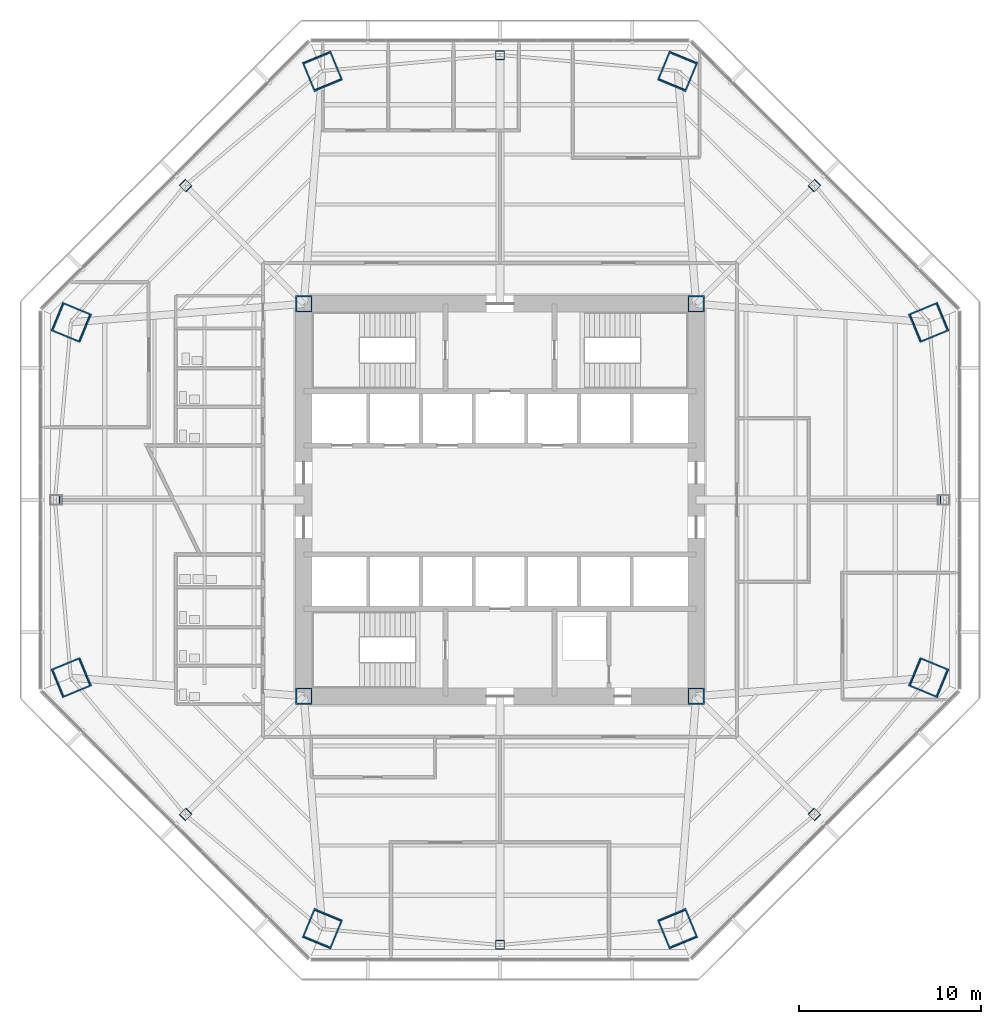
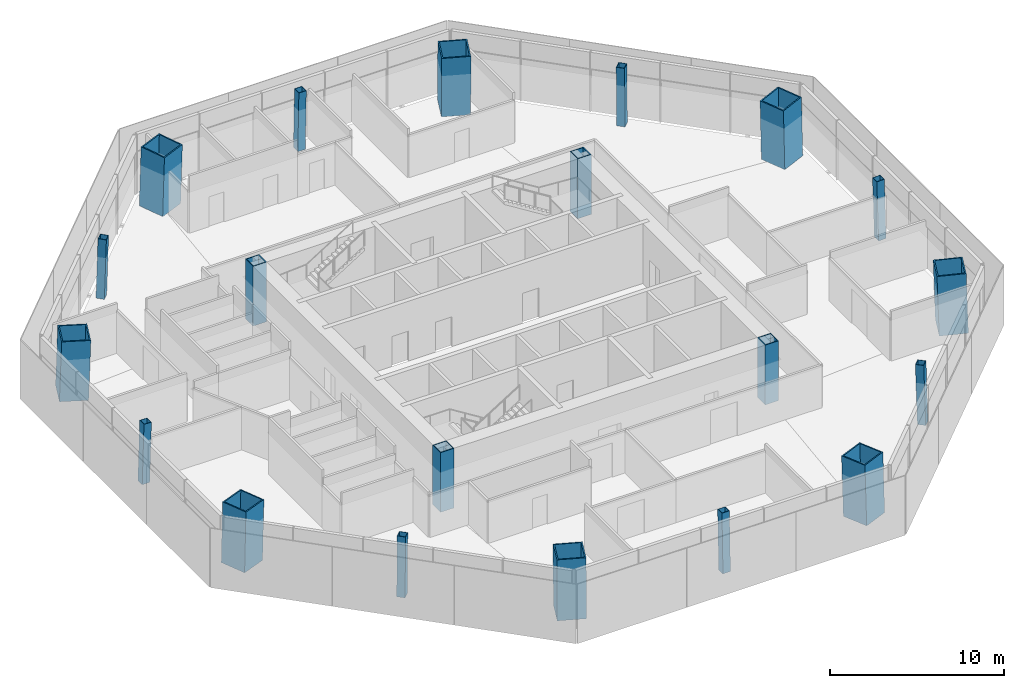
# One storey, part 1 of 16: 20 columns.
"""IFC4 building model written with IfcOpenShell, lengths in metres."""

from ifc_helpers import new_model, si_unit, direction, frame, origin, origin_2d, place, context, subcontext, project, spatial, hollow_rectangle, extrude, material, material_profile, profile_set, type_object, element, save


model = new_model("IFC4")

# Units and contexts
model_context = context("Model", 3, precision=1e-05, world=origin(), true_north=direction((0.0, 1.0)))
body_context = subcontext(model_context, "Body", "Model", "MODEL_VIEW")
ifc_project = project(units=[si_unit("LENGTHUNIT", "METRE"), si_unit("AREAUNIT", "SQUARE_METRE"), si_unit("VOLUMEUNIT", "CUBIC_METRE"), si_unit("PLANEANGLEUNIT", "RADIAN"), si_unit("MASSUNIT", "GRAM", prefix="KILO")], contexts=[model_context])

# Site, building, storey
site_placement = place(None, origin())
site = spatial("IfcSite", under=ifc_project, at=site_placement, CompositionType="ELEMENT")
building_placement = place(site_placement, origin())
building = spatial("IfcBuilding", under=site, at=building_placement, Name="Mashrafa Tower", CompositionType="ELEMENT")
storey_placement = place(building_placement, frame((0.0, 0.0, 96.0)))
storey = spatial("IfcBuildingStorey", under=building, at=storey_placement, Name="L21", CompositionType="ELEMENT", Elevation=96.0)

# Columns
ifc_material_1 = material(Name="Steel ASTM A572 Gr 50", Category="steel")
ifc_material_profile_1 = material_profile(ifc_material_1, hollow_rectangle(XDim=0.89990234375, YDim=0.89990234375, WallThickness=0.06005859375, at=origin_2d()), Name="BOX900X900X60")
ifc_profile_set_1 = profile_set([ifc_material_profile_1], Name="Steel ASTM A572 Gr 50")
column_type_1 = type_object("IfcColumnType", Name="Core corner column BOX900X900X60", PredefinedType="COLUMN", material=ifc_profile_set_1)
for number, where, z_axis, x_axis, name in (
    (1, (10.800048828125, 10.800048828125, 0.0), (0.0, 0.0, 1.0), (1.0, 0.0, 0.0), "Core corner column CC-NE L21"),
    (2, (-10.800048828125, 10.800048828125, 0.0), (0.0, 0.0, 1.0), (1.0, 0.0, 0.0), "Core corner column CC-NW L21"),
    (3, (-10.800048828125, -10.800048828125, 0.0), (0.0, 0.0, 1.0), (1.0, 0.0, 0.0), "Core corner column CC-SW L21"),
    (4, (10.800048828125, -10.800048828125, 0.0), (0.0, 0.0, 1.0), (1.0, 0.0, 0.0), "Core corner column CC-SE L21"),
):
    element("IfcColumn", number, at=place(storey_placement, frame(where, z_axis=z_axis, x_axis=x_axis)), inside=storey, type_object=column_type_1, Name=name, PredefinedType="COLUMN", context=body_context, shape_type="SweptSolid", body=[
        extrude(hollow_rectangle(XDim=0.89990234375, YDim=0.89990234375, WallThickness=0.06005859375, at=origin_2d()), origin(), (0.0, 0.0, 1.0), 4.199951171875),
    ])
ifc_material_2 = material(Name="Steel ASTM A572 Gr 50", Category="steel")
ifc_material_profile_2 = material_profile(ifc_material_2, hollow_rectangle(XDim=1.699951171875, YDim=1.699951171875, WallThickness=0.080078125, at=origin_2d()), Name="BOX1700X1700X80")
ifc_profile_set_2 = profile_set([ifc_material_profile_2], Name="Steel ASTM A572 Gr 50")
column_type_2 = type_object("IfcColumnType", Name="Mega column CFST BOX1700X1700X80", PredefinedType="COLUMN", material=ifc_profile_set_2)
for number, where, z_axis, x_axis, name in (
    (5, (23.620849609375, 9.783935546875, 0.0), (-0.028295749455, -0.011678533143, 0.999531371407), (0.38151339852, -0.924363308851, 0.0), "Mega column MC1 L21"),
    (6, (9.783935546875, 23.620849609375, 0.0), (-0.011678533143, -0.028295749455, 0.999531371407), (0.924363308851, -0.38151339852, 0.0), "Mega column MC2 L21"),
    (7, (-9.783935546875, 23.620849609375, 0.0), (0.011678533143, -0.028295749455, 0.999531371407), (0.924363308851, 0.38151339852, 0.0), "Mega column MC3 L21"),
    (8, (-23.620849609375, 9.783935546875, 0.0), (0.028295749455, -0.011678533143, 0.999531371407), (0.38151339852, 0.924363308851, 0.0), "Mega column MC4 L21"),
    (9, (-23.620849609375, -9.783935546875, 0.0), (0.028295749455, 0.011678533143, 0.999531371407), (-0.38151339852, 0.924363308851, 0.0), "Mega column MC5 L21"),
    (10, (-9.783935546875, -23.620849609375, 0.0), (0.011678533143, 0.028295749455, 0.999531371407), (-0.924363308851, 0.38151339852, 0.0), "Mega column MC6 L21"),
    (11, (9.783935546875, -23.620849609375, 0.0), (-0.011678533143, 0.028295749455, 0.999531371407), (-0.924363308851, -0.38151339852, 0.0), "Mega column MC7 L21"),
    (12, (23.620849609375, -9.783935546875, 0.0), (-0.028295749455, 0.011678533143, 0.999531371407), (-0.38151339852, -0.924363308851, 0.0), "Mega column MC8 L21"),
):
    element("IfcColumn", number, at=place(storey_placement, frame(where, z_axis=z_axis, x_axis=x_axis)), inside=storey, type_object=column_type_2, Name=name, PredefinedType="COLUMN", context=body_context, shape_type="SweptSolid", body=[
        extrude(hollow_rectangle(XDim=1.699951171875, YDim=1.699951171875, WallThickness=0.080078125, at=origin_2d()), origin(), (0.0, 0.0, 1.0), 4.201904296875),
    ])
ifc_material_3 = material(Name="Steel ASTM A572 Gr 50", Category="steel")
ifc_material_profile_3 = material_profile(ifc_material_3, hollow_rectangle(XDim=0.5, YDim=0.5, WallThickness=0.02490234375, at=origin_2d()), Name="BOX500X500X25")
ifc_profile_set_3 = profile_set([ifc_material_profile_3], Name="Steel ASTM A572 Gr 50")
column_type_3 = type_object("IfcColumnType", Name="Secondary column BOX500X500X25", PredefinedType="COLUMN", material=ifc_profile_set_3)
for number, where, z_axis, x_axis, name in (
    (13, (24.4990234375, 0.0, 0.0), (-0.028297679255, 0.0, 0.99959954049), (0.0, -1.0, 0.0), "Secondary column SC1 L21"),
    (14, (17.323486328125, 17.323486328125, 0.0), (-0.019988521213, -0.019988521213, 0.999600379171), (0.707106781187, -0.707106781187, 0.0), "Secondary column SC2 L21"),
    (15, (0.0, 24.4990234375, 0.0), (0.0, -0.028297679255, 0.99959954049), (1.0, 0.0, 0.0), "Secondary column SC3 L21"),
    (16, (-17.323486328125, 17.323486328125, 0.0), (0.019988521213, -0.019988521213, 0.999600379171), (0.707106781187, 0.707106781187, 0.0), "Secondary column SC4 L21"),
    (17, (-24.4990234375, 0.0, 0.0), (0.028297679255, 0.0, 0.99959954049), (0.0, 1.0, 0.0), "Secondary column SC5 L21"),
    (18, (-17.323486328125, -17.323486328125, 0.0), (0.019988521213, 0.019988521213, 0.999600379171), (-0.707106781187, 0.707106781187, 0.0), "Secondary column SC6 L21"),
    (19, (0.0, -24.4990234375, 0.0), (0.0, 0.028297679255, 0.99959954049), (-1.0, 0.0, 0.0), "Secondary column SC7 L21"),
    (20, (17.323486328125, -17.323486328125, 0.0), (-0.019988521213, 0.019988521213, 0.999600379171), (-0.707106781187, -0.707106781187, 0.0), "Secondary column SC8 L21"),
):
    element("IfcColumn", number, at=place(storey_placement, frame(where, z_axis=z_axis, x_axis=x_axis)), inside=storey, type_object=column_type_3, Name=name, PredefinedType="COLUMN", context=body_context, shape_type="SweptSolid", body=[
        extrude(hollow_rectangle(XDim=0.5, YDim=0.5, WallThickness=0.02490234375, at=origin_2d()), origin(), (0.0, 0.0, 1.0), 4.20166015625),
    ])

save(model, "model.ifc")
